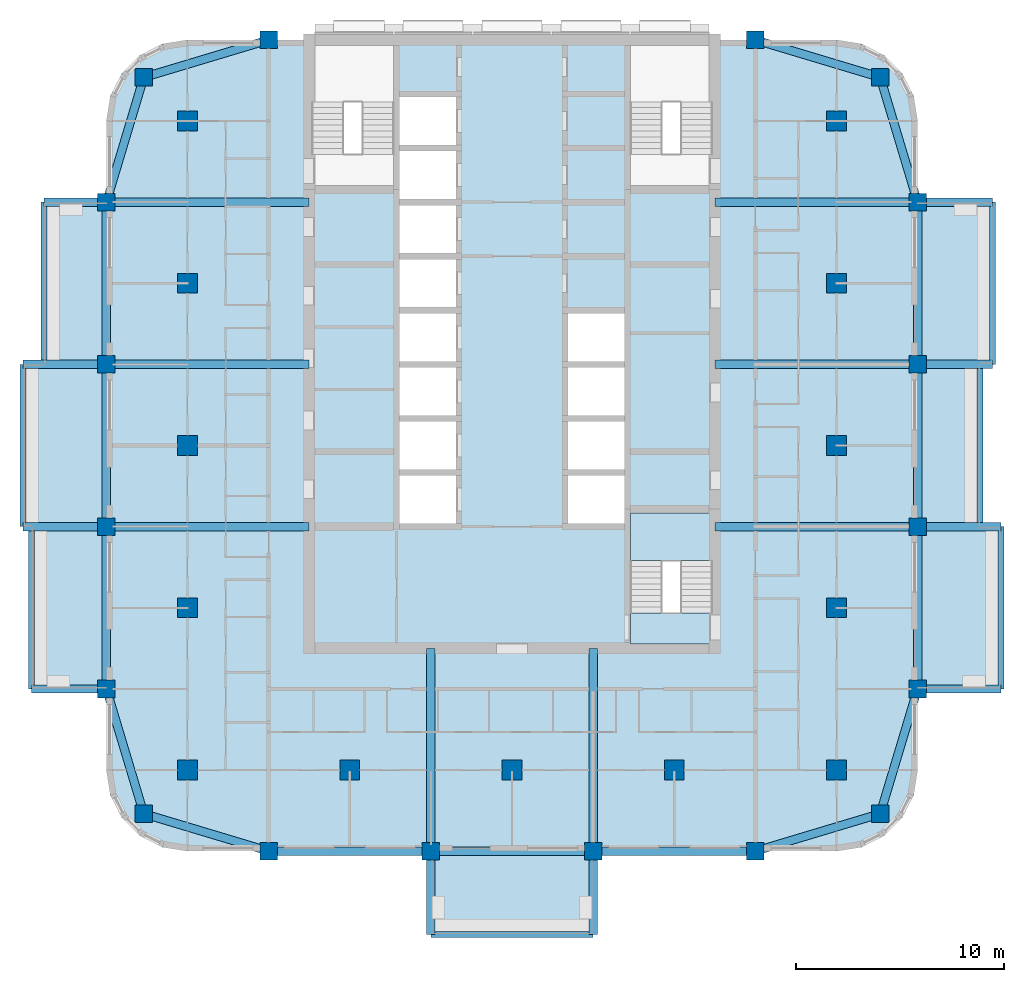
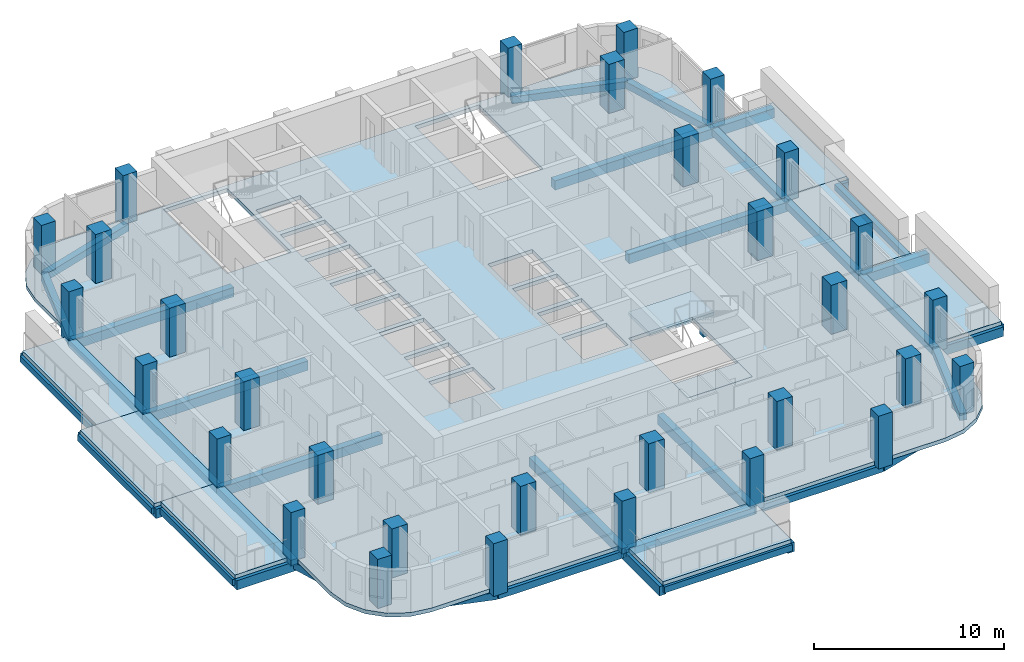
# One storey, part 1 of 14: 42 beams, 31 columns, 10 slabs, 1 element without a shape of its own.
"""IFC4 building model written with IfcOpenShell, lengths in metres."""

import ifcopenshell
import ifcopenshell.guid

model = None  # the IFC model being written
_history = None  # IfcOwnerHistory: only IFC2X3 demands one
_inside = {}  # id of a spatial element -> (the spatial element, [elements in it])
_under = {}  # id of a project, library or spatial element -> (it, [spatial elements below it])
_declared = {}  # id of a project -> (the project, [libraries it declares])
_typed = {}  # id of a type object -> (the type object, [elements of that type])
_made_of = {}  # id of a material, layer set ... -> (it, [elements and type objects made of it])


def new_model(schema):
    """Start an empty IFC model of exactly this schema.

    Asked for "IFC4X3", IfcOpenShell would pick the latest addendum, in which some entities
    have other attributes; the version numbers below select the first issue.
    IFC2X3 requires an IfcOwnerHistory on every rooted entity: one is made here for all.
    """
    global model, _history
    if schema == "IFC4X3":
        model = ifcopenshell.file(schema_version=(4, 3, 0, 0))
    else:
        model = ifcopenshell.file(schema=schema)
    _inside.clear()
    _under.clear()
    _declared.clear()
    _typed.clear()
    _made_of.clear()
    _history = None
    if model.schema == "IFC2X3":
        org = make("IfcOrganization", Name="unknown")
        user = make(
            "IfcPersonAndOrganization",
            ThePerson=make("IfcPerson", FamilyName="unknown"),
            TheOrganization=org,
        )
        app = make(
            "IfcApplication",
            ApplicationDeveloper=org,
            Version="unknown",
            ApplicationFullName="unknown",
            ApplicationIdentifier="unknown",
        )
        _history = make(
            "IfcOwnerHistory",
            OwningUser=user,
            OwningApplication=app,
            ChangeAction="ADDED",
            CreationDate=0,
        )
    return model


def make(cls, **values):
    """One entity of the class cls with the attributes given. An attribute that is None is left unset."""
    return model.create_entity(
        cls, **{name: value for name, value in values.items() if value is not None}
    )


def rooted(cls, **values):
    """An entity with a GlobalId (a new one), such as an element, a storey or a relation."""
    return make(cls, GlobalId=ifcopenshell.guid.new(), OwnerHistory=_history, **values)


def si_unit(unit_type, name, prefix=None):
    """IfcSIUnit, for example si_unit("LENGTHUNIT", "METRE", prefix="MILLI")."""
    return make("IfcSIUnit", UnitType=unit_type, Prefix=prefix, Name=name)


def assignment(units):
    """IfcUnitAssignment: the units of a project."""
    return None if units is None else make("IfcUnitAssignment", Units=units)


def point(xyz):
    """IfcCartesianPoint."""
    return None if xyz is None else make("IfcCartesianPoint", Coordinates=xyz)


def direction(xyz):
    """IfcDirection."""
    return None if xyz is None else make("IfcDirection", DirectionRatios=xyz)


def frame(location, z_axis=None, x_axis=None):
    """IfcAxis2Placement3D, a coordinate frame: its origin and axes. An axis left out is left unset."""
    return make(
        "IfcAxis2Placement3D",
        Location=point(location),
        Axis=direction(z_axis),
        RefDirection=direction(x_axis),
    )


def frame_2d(location, x_axis=None):
    """IfcAxis2Placement2D, a coordinate frame in the plane: its origin and x axis."""
    return make(
        "IfcAxis2Placement2D", Location=point(location), RefDirection=direction(x_axis)
    )


def origin():
    """The frame at (0, 0, 0) with its axes left unset."""
    return frame((0.0, 0.0, 0.0))


def origin_2d():
    """The frame at (0, 0) in the plane with its x axis left unset."""
    return frame_2d((0.0, 0.0))


def place(relative_to, where):
    """IfcLocalPlacement: puts the frame where relative to a parent placement (None: the world)."""
    return make(
        "IfcLocalPlacement", PlacementRelTo=relative_to, RelativePlacement=where
    )


def context(
    kind, dimensions, precision=None, world=None, true_north=None, identifier=None
):
    """IfcGeometricRepresentationContext, for example the 3D "Model" context."""
    return make(
        "IfcGeometricRepresentationContext",
        ContextIdentifier=identifier,
        ContextType=kind,
        CoordinateSpaceDimension=dimensions,
        Precision=precision,
        WorldCoordinateSystem=world,
        TrueNorth=true_north,
    )


def subcontext(parent, identifier, kind, view, scale=None):
    """IfcGeometricRepresentationSubContext, for example "Body" below "Model"."""
    return make(
        "IfcGeometricRepresentationSubContext",
        ContextIdentifier=identifier,
        ContextType=kind,
        ParentContext=parent,
        TargetScale=scale,
        TargetView=view,
    )


def project(units=None, contexts=None):
    """IfcProject with its units and contexts."""
    return rooted(
        "IfcProject",
        Name="project",
        RepresentationContexts=contexts,
        UnitsInContext=assignment(units),
    )


def spatial(cls, under=None, at=None, **own):
    """A site, building, storey or space (cls), placed at a placement, below another one or the project."""
    s = rooted(cls, ObjectPlacement=at, **own)
    if under is not None:
        _under.setdefault(under.id(), (under, []))[1].append(s)
    return s


def polyline(points):
    """IfcPolyline through the points."""
    return make("IfcPolyline", Points=[point(p) for p in points])


def profile(cls, at=None, kind="AREA", **sizes):
    """A parametric profile (cls). Its sizes go by their IFC names, for example OverallWidth=200.0."""
    return make(cls, ProfileType=kind, Position=at, **sizes)


def rectangle(**sizes):
    """IfcRectangleProfileDef."""
    return profile("IfcRectangleProfileDef", **sizes)


def outline(outer, holes=None, kind="AREA"):
    """IfcArbitraryClosedProfileDef: a profile drawn as a closed curve; with holes, ...WithVoids."""
    if holes is None:
        return make("IfcArbitraryClosedProfileDef", ProfileType=kind, OuterCurve=outer)
    return make(
        "IfcArbitraryProfileDefWithVoids",
        ProfileType=kind,
        OuterCurve=outer,
        InnerCurves=holes,
    )


def extrude(swept, where, along, depth):
    """IfcExtrudedAreaSolid: the profile swept, set in the frame where, extruded along a direction by depth."""
    return make(
        "IfcExtrudedAreaSolid",
        SweptArea=swept,
        Position=where,
        ExtrudedDirection=direction(along),
        Depth=depth,
    )


def shape(context_of_items, identifier, shape_type, items):
    """IfcShapeRepresentation: the items that make up one representation, for example the "Body"."""
    return make(
        "IfcShapeRepresentation",
        ContextOfItems=context_of_items,
        RepresentationIdentifier=identifier,
        RepresentationType=shape_type,
        Items=items,
    )


def material(Name=None, Category=None):
    """IfcMaterial."""
    return make("IfcMaterial", Name=Name, Category=Category)


def layer(
    of_material, thickness, ventilated=None, Name=None, Category=None, Priority=None
):
    """IfcMaterialLayer: one layer of a wall or slab, of a material (None: an air gap)."""
    return make(
        "IfcMaterialLayer",
        Material=of_material,
        LayerThickness=thickness,
        IsVentilated=ventilated,
        Name=Name,
        Category=Category,
        Priority=Priority,
    )


def layer_set(layers, Name=None):
    """IfcMaterialLayerSet."""
    return make("IfcMaterialLayerSet", MaterialLayers=layers, LayerSetName=Name)


def material_profile(
    of_material, cross_section, Name=None, Category=None, Priority=None
):
    """IfcMaterialProfile: a cross section and its material."""
    return make(
        "IfcMaterialProfile",
        Name=Name,
        Material=of_material,
        Profile=cross_section,
        Priority=Priority,
        Category=Category,
    )


def profile_set(profiles, Name=None, composite=None):
    """IfcMaterialProfileSet."""
    return make(
        "IfcMaterialProfileSet",
        Name=Name,
        MaterialProfiles=profiles,
        CompositeProfile=composite,
    )


def made_of(thing, what):
    """Note that an element or type object is made of a material, layer set ...; save() writes the relation."""
    if what is not None:
        _made_of.setdefault(what.id(), (what, []))[1].append(thing)
    return thing


def type_object(cls, material=None, **own):
    """A type object (cls), such as IfcWallType, which elements share."""
    return made_of(rooted(cls, **own), material)


def element(
    cls,
    number,
    at=None,
    inside=None,
    cuts=None,
    type_object=None,
    material=None,
    context=None,
    identifier="Body",
    shape_type=None,
    held_by="IfcProductDefinitionShape",
    body=None,
    shapes=None,
    **own,
):
    """One element of the class cls, such as IfcWall. Its Tag is "e" and its number.

    at: its placement. inside: the storey or other place that contains it. cuts: it is an
    opening in that element (IfcRelVoidsElement). A single representation is given by context,
    identifier, shape_type and body (its items); several are given by shapes. held_by: the class
    of the entity that holds the representations. save() writes the other relations.
    """
    e = rooted(cls, Tag="e%d" % number, ObjectPlacement=at, **own)
    if body is not None:
        shapes = [shape(context, identifier, shape_type, body)]
    if shapes is not None:
        e.Representation = make(held_by, Representations=shapes)
    if inside is not None:
        _inside.setdefault(inside.id(), (inside, []))[1].append(e)
    if cuts is not None:
        rooted(
            "IfcRelVoidsElement", RelatingBuildingElement=cuts, RelatedOpeningElement=e
        )
    if type_object is not None:
        _typed.setdefault(type_object.id(), (type_object, []))[1].append(e)
    return made_of(e, material)


def aggregate(whole, parts):
    """IfcRelAggregates: a whole, such as a stair, and the parts it consists of."""
    return rooted("IfcRelAggregates", RelatingObject=whole, RelatedObjects=parts)


def save(model, path):
    """Write the relations noted so far, then the file.

    IfcRelAggregates (storeys below a building ...), IfcRelContainedInSpatialStructure (elements
    in a storey), IfcRelDefinesByType, IfcRelAssociatesMaterial and IfcRelDeclares: one each for
    every whole, place, type object, material and project.
    """
    for whole, parts in _under.values():
        aggregate(whole, parts)
    for where, things in _inside.values():
        rooted(
            "IfcRelContainedInSpatialStructure",
            RelatedElements=things,
            RelatingStructure=where,
        )
    for kind, things in _typed.values():
        rooted("IfcRelDefinesByType", RelatedObjects=things, RelatingType=kind)
    for what, things in _made_of.values():
        rooted("IfcRelAssociatesMaterial", RelatedObjects=things, RelatingMaterial=what)
    for by, libraries in _declared.values():
        rooted("IfcRelDeclares", RelatingContext=by, RelatedDefinitions=libraries)
    model.write(path)


model = new_model("IFC4")

# Units and contexts
model_context = context("Model", 3, precision=1e-05, world=origin(), true_north=direction((0.0, 1.0)))
body_context = subcontext(model_context, "Body", "Model", "MODEL_VIEW")
ifc_project = project(units=[si_unit("LENGTHUNIT", "METRE"), si_unit("AREAUNIT", "SQUARE_METRE"), si_unit("VOLUMEUNIT", "CUBIC_METRE"), si_unit("PLANEANGLEUNIT", "RADIAN"), si_unit("MASSUNIT", "GRAM", prefix="KILO")], contexts=[model_context])

# Site, building, storey
site_placement = place(None, origin())
site = spatial("IfcSite", under=ifc_project, at=site_placement, CompositionType="ELEMENT")
building_placement = place(site_placement, origin())
building = spatial("IfcBuilding", under=site, at=building_placement, Name="Ludao Terraces", CompositionType="ELEMENT")
storey_placement = place(building_placement, frame((0.0, 0.0, 103.300048828125)))
storey = spatial("IfcBuildingStorey", under=building, at=storey_placement, Name="L28", CompositionType="ELEMENT", Elevation=103.300048828125)

# Columns
ifc_material_1 = material(Name="Concrete C50", Category="concrete")
ifc_material_profile_1 = material_profile(ifc_material_1, rectangle(XDim=0.85009765625, YDim=0.85009765625, at=origin_2d()), Name="850 X 850")
ifc_profile_set_1 = profile_set([ifc_material_profile_1], Name="Concrete C50")
column_type_1 = type_object("IfcColumnType", Name="RC column 850x850 C50", PredefinedType="COLUMN", material=ifc_profile_set_1)
for number, where, z_axis, x_axis, name in (
    (1, (67.300048828125, 47.300048828125, -0.25), (0.0, 0.0, 1.0), (1.0, 0.0, 0.0), "Column L28 C0057x0057"),
    (2, (102.699951171875, 47.300048828125, -0.25), (0.0, 0.0, 1.0), (1.0, 0.0, 0.0), "Column L28 C0411x0057"),
    (3, (67.300048828125, 82.699951171875, -0.25), (0.0, 0.0, 1.0), (1.0, 0.0, 0.0), "Column L28 C0057x0411"),
    (4, (102.699951171875, 82.699951171875, -0.25), (0.0, 0.0, 1.0), (1.0, 0.0, 0.0), "Column L28 C0411x0411"),
    (5, (65.5, 53.300048828125, -0.25), (0.0, 0.0, 1.0), (1.0, 0.0, 0.0), "Column L28 W0039x0117"),
    (6, (104.5, 53.300048828125, -0.25), (0.0, 0.0, 1.0), (1.0, 0.0, 0.0), "Column L28 W0429x0117"),
    (7, (73.300048828125, 45.5, -0.25), (0.0, 0.0, 1.0), (1.0, 0.0, 0.0), "Column L28 W0117x0039"),
    (8, (73.300048828125, 84.5, -0.25), (0.0, 0.0, 1.0), (1.0, 0.0, 0.0), "Column L28 W0117x0429"),
    (9, (65.5, 61.10009765625, -0.25), (0.0, 0.0, 1.0), (1.0, 0.0, 0.0), "Column L28 W0039x0195"),
    (10, (104.5, 61.10009765625, -0.25), (0.0, 0.0, 1.0), (1.0, 0.0, 0.0), "Column L28 W0429x0195"),
    (11, (81.10009765625, 45.5, -0.25), (0.0, 0.0, 1.0), (1.0, 0.0, 0.0), "Column L28 W0195x0039"),
    (12, (65.5, 68.89990234375, -0.25), (0.0, 0.0, 1.0), (1.0, 0.0, 0.0), "Column L28 W0039x0273"),
    (13, (104.5, 68.89990234375, -0.25), (0.0, 0.0, 1.0), (1.0, 0.0, 0.0), "Column L28 W0429x0273"),
    (14, (88.89990234375, 45.5, -0.25), (0.0, 0.0, 1.0), (1.0, 0.0, 0.0), "Column L28 W0273x0039"),
    (15, (65.5, 76.699951171875, -0.25), (0.0, 0.0, 1.0), (1.0, 0.0, 0.0), "Column L28 W0039x0351"),
    (16, (104.5, 76.699951171875, -0.25), (0.0, 0.0, 1.0), (1.0, 0.0, 0.0), "Column L28 W0429x0351"),
    (17, (96.699951171875, 45.5, -0.25), (0.0, 0.0, 1.0), (1.0, 0.0, 0.0), "Column L28 W0351x0039"),
    (18, (96.699951171875, 84.5, -0.25), (0.0, 0.0, 1.0), (1.0, 0.0, 0.0), "Column L28 W0351x0429"),
):
    element("IfcColumn", number, at=place(storey_placement, frame(where, z_axis=z_axis, x_axis=x_axis)), inside=storey, type_object=column_type_1, Name=name, PredefinedType="COLUMN", context=body_context, shape_type="SweptSolid", body=[
        extrude(rectangle(XDim=0.85009765625, YDim=0.85009765625, at=origin_2d()), origin(), (0.0, 0.0, 1.0), 3.39990234375),
    ])
ifc_material_profile_2 = material_profile(ifc_material_1, rectangle(XDim=0.949951171875, YDim=0.949951171875, at=origin_2d()), Name="950 X 950")
ifc_profile_set_2 = profile_set([ifc_material_profile_2], Name="Concrete C50")
column_type_2 = type_object("IfcColumnType", Name="RC column 950x950 C50", PredefinedType="COLUMN", material=ifc_profile_set_2)
for number, where, z_axis, x_axis, name in (
    (19, (69.39990234375, 49.39990234375, -0.25), (0.0, 0.0, 1.0), (1.0, 0.0, 0.0), "Column L28 S0078x0078"),
    (20, (69.39990234375, 57.199951171875, -0.25), (0.0, 0.0, 1.0), (1.0, 0.0, 0.0), "Column L28 S0078x0156"),
    (21, (69.39990234375, 65.0, -0.25), (0.0, 0.0, 1.0), (1.0, 0.0, 0.0), "Column L28 S0078x0234"),
    (22, (69.39990234375, 72.800048828125, -0.25), (0.0, 0.0, 1.0), (1.0, 0.0, 0.0), "Column L28 S0078x0312"),
    (23, (69.39990234375, 80.60009765625, -0.25), (0.0, 0.0, 1.0), (1.0, 0.0, 0.0), "Column L28 S0078x0390"),
    (24, (77.199951171875, 49.39990234375, -0.25), (0.0, 0.0, 1.0), (1.0, 0.0, 0.0), "Column L28 S0156x0078"),
    (25, (85.0, 49.39990234375, -0.25), (0.0, 0.0, 1.0), (1.0, 0.0, 0.0), "Column L28 S0234x0078"),
    (26, (92.800048828125, 49.39990234375, -0.25), (0.0, 0.0, 1.0), (1.0, 0.0, 0.0), "Column L28 S0312x0078"),
    (27, (100.60009765625, 49.39990234375, -0.25), (0.0, 0.0, 1.0), (1.0, 0.0, 0.0), "Column L28 S0390x0078"),
    (28, (100.60009765625, 57.199951171875, -0.25), (0.0, 0.0, 1.0), (1.0, 0.0, 0.0), "Column L28 S0390x0156"),
    (29, (100.60009765625, 65.0, -0.25), (0.0, 0.0, 1.0), (1.0, 0.0, 0.0), "Column L28 S0390x0234"),
    (30, (100.60009765625, 72.800048828125, -0.25), (0.0, 0.0, 1.0), (1.0, 0.0, 0.0), "Column L28 S0390x0312"),
    (31, (100.60009765625, 80.60009765625, -0.25), (0.0, 0.0, 1.0), (1.0, 0.0, 0.0), "Column L28 S0390x0390"),
):
    element("IfcColumn", number, at=place(storey_placement, frame(where, z_axis=z_axis, x_axis=x_axis)), inside=storey, type_object=column_type_2, Name=name, PredefinedType="COLUMN", context=body_context, shape_type="SweptSolid", body=[
        extrude(rectangle(XDim=0.949951171875, YDim=0.949951171875, at=origin_2d()), origin(), (0.0, 0.0, 1.0), 3.39990234375),
    ])

# Beams
ifc_material_2 = material(Name="Concrete C40", Category="concrete")
ifc_material_profile_3 = material_profile(ifc_material_2, rectangle(XDim=0.300048828125, YDim=0.39990234375, at=origin_2d()), Name="300 X 400")
ifc_profile_set_3 = profile_set([ifc_material_profile_3], Name="Concrete C40")
beam_type_1 = type_object("IfcBeamType", Name="RC beam 300x400 C40", PredefinedType="BEAM", material=ifc_profile_set_3)
beam_1_placement = place(storey_placement, frame((81.10009765625, 41.5, -0.449951171875), z_axis=(1.0, 0.0, 0.0), x_axis=(0.0, 1.0, 0.0)))
element("IfcBeam", 32, at=beam_1_placement, inside=storey, type_object=beam_type_1, Name="Balcony edge beam L28 S1", PredefinedType="BEAM", context=body_context, shape_type="SweptSolid", body=[
    extrude(rectangle(XDim=0.300048828125, YDim=0.39990234375, at=origin_2d()), origin(), (0.0, 0.0, 1.0), 7.7998046875),
])
beam_2_placement = place(storey_placement, frame((108.5, 53.300048828125, -0.449951171875), z_axis=(0.0, 1.0, 0.0), x_axis=(-1.0, 0.0, 0.0)))
element("IfcBeam", 33, at=beam_2_placement, inside=storey, type_object=beam_type_1, Name="Balcony edge beam L28 E1", PredefinedType="BEAM", context=body_context, shape_type="SweptSolid", body=[
    extrude(rectangle(XDim=0.300048828125, YDim=0.39990234375, at=origin_2d()), origin(), (0.0, 0.0, 1.0), 7.800048828125),
])
beam_3_placement = place(storey_placement, frame((107.5, 61.10009765625, -0.449951171875), z_axis=(0.0, 1.0, 0.0), x_axis=(-1.0, 0.0, 0.0)))
element("IfcBeam", 34, at=beam_3_placement, inside=storey, type_object=beam_type_1, Name="Balcony edge beam L28 E2", PredefinedType="BEAM", context=body_context, shape_type="SweptSolid", body=[
    extrude(rectangle(XDim=0.300048828125, YDim=0.39990234375, at=origin_2d()), origin(), (0.0, 0.0, 1.0), 7.7998046875),
])
for number, where, z_axis, x_axis, name in (
    (35, (108.10009765625, 68.89990234375, -0.449951171875), (0.0, 1.0, 0.0), (-1.0, 0.0, 0.0), "Balcony edge beam L28 E3"),
    (36, (61.89990234375, 53.300048828125, -0.449951171875), (0.0, 1.0, 0.0), (-1.0, 0.0, 0.0), "Balcony edge beam L28 W1"),
):
    element("IfcBeam", number, at=place(storey_placement, frame(where, z_axis=z_axis, x_axis=x_axis)), inside=storey, type_object=beam_type_1, Name=name, PredefinedType="BEAM", context=body_context, shape_type="SweptSolid", body=[
        extrude(rectangle(XDim=0.300048828125, YDim=0.39990234375, at=origin_2d()), origin(), (0.0, 0.0, 1.0), 7.800048828125),
    ])
beam_4_placement = place(storey_placement, frame((61.5, 61.10009765625, -0.449951171875), z_axis=(0.0, 1.0, 0.0), x_axis=(-1.0, 0.0, 0.0)))
element("IfcBeam", 37, at=beam_4_placement, inside=storey, type_object=beam_type_1, Name="Balcony edge beam L28 W2", PredefinedType="BEAM", context=body_context, shape_type="SweptSolid", body=[
    extrude(rectangle(XDim=0.300048828125, YDim=0.39990234375, at=origin_2d()), origin(), (0.0, 0.0, 1.0), 7.7998046875),
])
beam_5_placement = place(storey_placement, frame((62.5, 68.89990234375, -0.449951171875), z_axis=(0.0, 1.0, 0.0), x_axis=(-1.0, 0.0, 0.0)))
element("IfcBeam", 38, at=beam_5_placement, inside=storey, type_object=beam_type_1, Name="Balcony edge beam L28 W3", PredefinedType="BEAM", context=body_context, shape_type="SweptSolid", body=[
    extrude(rectangle(XDim=0.300048828125, YDim=0.39990234375, at=origin_2d()), origin(), (0.0, 0.0, 1.0), 7.800048828125),
])
ifc_material_profile_4 = material_profile(ifc_material_2, rectangle(XDim=0.39990234375, YDim=0.449951171875, at=origin_2d()), Name="400 X 450")
ifc_profile_set_4 = profile_set([ifc_material_profile_4], Name="Concrete C40")
beam_type_2 = type_object("IfcBeamType", Name="RC beam 400x450 C40", PredefinedType="BEAM", material=ifc_profile_set_4)
beam_6_placement = place(storey_placement, frame((67.300048828125, 47.300048828125, -0.47509765625), z_axis=(0.957824139839, -0.287355036744, 0.0), x_axis=(0.287355036744, 0.957824139839, 0.0)))
element("IfcBeam", 39, at=beam_6_placement, inside=storey, type_object=beam_type_2, Name="Spandrel beam L28 S1", PredefinedType="BEAM", context=body_context, shape_type="SweptSolid", body=[
    extrude(rectangle(XDim=0.39990234375, YDim=0.449951171875, at=origin_2d()), origin(), (0.0, 0.0, 1.0), 6.26416015625),
])
beam_7_placement = place(storey_placement, frame((73.300048828125, 45.5, -0.47509765625), z_axis=(1.0, 0.0, 0.0), x_axis=(0.0, 1.0, 0.0)))
element("IfcBeam", 40, at=beam_7_placement, inside=storey, type_object=beam_type_2, Name="Spandrel beam L28 S2", PredefinedType="BEAM", context=body_context, shape_type="SweptSolid", body=[
    extrude(rectangle(XDim=0.39990234375, YDim=0.449951171875, at=origin_2d()), origin(), (0.0, 0.0, 1.0), 7.800048828125),
])
beam_8_placement = place(storey_placement, frame((81.10009765625, 45.5, -0.47509765625), z_axis=(1.0, 0.0, 0.0), x_axis=(0.0, 1.0, 0.0)))
element("IfcBeam", 41, at=beam_8_placement, inside=storey, type_object=beam_type_2, Name="Spandrel beam L28 S3", PredefinedType="BEAM", context=body_context, shape_type="SweptSolid", body=[
    extrude(rectangle(XDim=0.39990234375, YDim=0.449951171875, at=origin_2d()), origin(), (0.0, 0.0, 1.0), 7.7998046875),
])
beam_9_placement = place(storey_placement, frame((88.89990234375, 45.5, -0.47509765625), z_axis=(1.0, 0.0, 0.0), x_axis=(0.0, 1.0, 0.0)))
element("IfcBeam", 42, at=beam_9_placement, inside=storey, type_object=beam_type_2, Name="Spandrel beam L28 S4", PredefinedType="BEAM", context=body_context, shape_type="SweptSolid", body=[
    extrude(rectangle(XDim=0.39990234375, YDim=0.449951171875, at=origin_2d()), origin(), (0.0, 0.0, 1.0), 7.800048828125),
])
for number, where, z_axis, x_axis, name in (
    (43, (96.699951171875, 45.5, -0.47509765625), (0.957824139839, 0.287355036744, 0.0), (-0.287355036744, 0.957824139839, 0.0), "Spandrel beam L28 S5"),
    (44, (67.300048828125, 82.699951171875, -0.47509765625), (0.957824139839, 0.287355036744, 0.0), (-0.287355036744, 0.957824139839, 0.0), "Spandrel beam L28 N6"),
    (45, (96.699951171875, 84.5, -0.47509765625), (0.957824139839, -0.287355036744, 0.0), (0.287355036744, 0.957824139839, 0.0), "Spandrel beam L28 N7"),
    (46, (67.300048828125, 47.300048828125, -0.47509765625), (-0.287355036744, 0.957824139839, 0.0), (-0.957824139839, -0.287355036744, 0.0), "Spandrel beam L28 W8"),
):
    element("IfcBeam", number, at=place(storey_placement, frame(where, z_axis=z_axis, x_axis=x_axis)), inside=storey, type_object=beam_type_2, Name=name, PredefinedType="BEAM", context=body_context, shape_type="SweptSolid", body=[
        extrude(rectangle(XDim=0.39990234375, YDim=0.449951171875, at=origin_2d()), origin(), (0.0, 0.0, 1.0), 6.26416015625),
    ])
beam_10_placement = place(storey_placement, frame((65.5, 53.300048828125, -0.47509765625), z_axis=(0.0, 1.0, 0.0), x_axis=(-1.0, 0.0, 0.0)))
element("IfcBeam", 47, at=beam_10_placement, inside=storey, type_object=beam_type_2, Name="Spandrel beam L28 W9", PredefinedType="BEAM", context=body_context, shape_type="SweptSolid", body=[
    extrude(rectangle(XDim=0.39990234375, YDim=0.449951171875, at=origin_2d()), origin(), (0.0, 0.0, 1.0), 7.800048828125),
])
beam_11_placement = place(storey_placement, frame((65.5, 61.10009765625, -0.47509765625), z_axis=(0.0, 1.0, 0.0), x_axis=(-1.0, 0.0, 0.0)))
element("IfcBeam", 48, at=beam_11_placement, inside=storey, type_object=beam_type_2, Name="Spandrel beam L28 W10", PredefinedType="BEAM", context=body_context, shape_type="SweptSolid", body=[
    extrude(rectangle(XDim=0.39990234375, YDim=0.449951171875, at=origin_2d()), origin(), (0.0, 0.0, 1.0), 7.7998046875),
])
beam_12_placement = place(storey_placement, frame((65.5, 68.89990234375, -0.47509765625), z_axis=(0.0, 1.0, 0.0), x_axis=(-1.0, 0.0, 0.0)))
element("IfcBeam", 49, at=beam_12_placement, inside=storey, type_object=beam_type_2, Name="Spandrel beam L28 W11", PredefinedType="BEAM", context=body_context, shape_type="SweptSolid", body=[
    extrude(rectangle(XDim=0.39990234375, YDim=0.449951171875, at=origin_2d()), origin(), (0.0, 0.0, 1.0), 7.800048828125),
])
for number, where, z_axis, x_axis, name in (
    (50, (65.5, 76.699951171875, -0.47509765625), (0.287355036744, 0.957824139839, 0.0), (-0.957824139839, 0.287355036744, 0.0), "Spandrel beam L28 W12"),
    (51, (102.699951171875, 47.300048828125, -0.47509765625), (0.287355036744, 0.957824139839, 0.0), (-0.957824139839, 0.287355036744, 0.0), "Spandrel beam L28 E13"),
):
    element("IfcBeam", number, at=place(storey_placement, frame(where, z_axis=z_axis, x_axis=x_axis)), inside=storey, type_object=beam_type_2, Name=name, PredefinedType="BEAM", context=body_context, shape_type="SweptSolid", body=[
        extrude(rectangle(XDim=0.39990234375, YDim=0.449951171875, at=origin_2d()), origin(), (0.0, 0.0, 1.0), 6.26416015625),
    ])
beam_13_placement = place(storey_placement, frame((104.5, 53.300048828125, -0.47509765625), z_axis=(0.0, 1.0, 0.0), x_axis=(-1.0, 0.0, 0.0)))
element("IfcBeam", 52, at=beam_13_placement, inside=storey, type_object=beam_type_2, Name="Spandrel beam L28 E14", PredefinedType="BEAM", context=body_context, shape_type="SweptSolid", body=[
    extrude(rectangle(XDim=0.39990234375, YDim=0.449951171875, at=origin_2d()), origin(), (0.0, 0.0, 1.0), 7.800048828125),
])
beam_14_placement = place(storey_placement, frame((104.5, 61.10009765625, -0.47509765625), z_axis=(0.0, 1.0, 0.0), x_axis=(-1.0, 0.0, 0.0)))
element("IfcBeam", 53, at=beam_14_placement, inside=storey, type_object=beam_type_2, Name="Spandrel beam L28 E15", PredefinedType="BEAM", context=body_context, shape_type="SweptSolid", body=[
    extrude(rectangle(XDim=0.39990234375, YDim=0.449951171875, at=origin_2d()), origin(), (0.0, 0.0, 1.0), 7.7998046875),
])
beam_15_placement = place(storey_placement, frame((104.5, 68.89990234375, -0.47509765625), z_axis=(0.0, 1.0, 0.0), x_axis=(-1.0, 0.0, 0.0)))
element("IfcBeam", 54, at=beam_15_placement, inside=storey, type_object=beam_type_2, Name="Spandrel beam L28 E16", PredefinedType="BEAM", context=body_context, shape_type="SweptSolid", body=[
    extrude(rectangle(XDim=0.39990234375, YDim=0.449951171875, at=origin_2d()), origin(), (0.0, 0.0, 1.0), 7.800048828125),
])
beam_16_placement = place(storey_placement, frame((104.5, 76.699951171875, -0.47509765625), z_axis=(-0.287355036744, 0.957824139839, 0.0), x_axis=(-0.957824139839, -0.287355036744, 0.0)))
element("IfcBeam", 55, at=beam_16_placement, inside=storey, type_object=beam_type_2, Name="Spandrel beam L28 E17", PredefinedType="BEAM", context=body_context, shape_type="SweptSolid", body=[
    extrude(rectangle(XDim=0.39990234375, YDim=0.449951171875, at=origin_2d()), origin(), (0.0, 0.0, 1.0), 6.26416015625),
])
ifc_material_profile_5 = material_profile(ifc_material_2, rectangle(XDim=0.39990234375, YDim=0.60009765625, at=origin_2d()), Name="400 X 600")
ifc_profile_set_5 = profile_set([ifc_material_profile_5], Name="Concrete C40")
beam_type_3 = type_object("IfcBeamType", Name="RC beam 400x600 C40", PredefinedType="BEAM", material=ifc_profile_set_5)
beam_17_placement = place(storey_placement, frame((104.5, 53.300048828125, -0.550048828125), z_axis=(1.0, 0.0, 0.0), x_axis=(0.0, 1.0, 0.0)))
element("IfcBeam", 56, at=beam_17_placement, inside=storey, type_object=beam_type_3, Name="Balcony beam L28 E533", PredefinedType="BEAM", context=body_context, shape_type="SweptSolid", body=[
    extrude(rectangle(XDim=0.39990234375, YDim=0.60009765625, at=origin_2d()), origin(), (0.0, 0.0, 1.0), 4.0),
])
beam_18_placement = place(storey_placement, frame((94.75, 61.10009765625, -0.550048828125), z_axis=(1.0, 0.0, 0.0), x_axis=(0.0, 1.0, 0.0)))
element("IfcBeam", 57, at=beam_18_placement, inside=storey, type_object=beam_type_3, Name="Balcony beam L28 E611", PredefinedType="BEAM", context=body_context, shape_type="SweptSolid", body=[
    extrude(rectangle(XDim=0.39990234375, YDim=0.60009765625, at=origin_2d()), origin(), (0.0, 0.0, 1.0), 9.75),
])
beam_19_placement = place(storey_placement, frame((104.5, 61.10009765625, -0.550048828125), z_axis=(1.0, 0.0, 0.0), x_axis=(0.0, 1.0, 0.0)))
element("IfcBeam", 58, at=beam_19_placement, inside=storey, type_object=beam_type_3, Name="Balcony beam L28 E611", PredefinedType="BEAM", context=body_context, shape_type="SweptSolid", body=[
    extrude(rectangle(XDim=0.39990234375, YDim=0.60009765625, at=origin_2d()), origin(), (0.0, 0.0, 1.0), 4.0),
])
beam_20_placement = place(storey_placement, frame((94.75, 68.89990234375, -0.550048828125), z_axis=(1.0, 0.0, 0.0), x_axis=(0.0, 1.0, 0.0)))
element("IfcBeam", 59, at=beam_20_placement, inside=storey, type_object=beam_type_3, Name="Balcony beam L28 E689", PredefinedType="BEAM", context=body_context, shape_type="SweptSolid", body=[
    extrude(rectangle(XDim=0.39990234375, YDim=0.60009765625, at=origin_2d()), origin(), (0.0, 0.0, 1.0), 9.75),
])
beam_21_placement = place(storey_placement, frame((104.5, 68.89990234375, -0.550048828125), z_axis=(1.0, 0.0, 0.0), x_axis=(0.0, 1.0, 0.0)))
element("IfcBeam", 60, at=beam_21_placement, inside=storey, type_object=beam_type_3, Name="Balcony beam L28 E689", PredefinedType="BEAM", context=body_context, shape_type="SweptSolid", body=[
    extrude(rectangle(XDim=0.39990234375, YDim=0.60009765625, at=origin_2d()), origin(), (0.0, 0.0, 1.0), 3.60009765625),
])
beam_22_placement = place(storey_placement, frame((94.75, 76.699951171875, -0.550048828125), z_axis=(1.0, 0.0, 0.0), x_axis=(0.0, 1.0, 0.0)))
element("IfcBeam", 61, at=beam_22_placement, inside=storey, type_object=beam_type_3, Name="Balcony beam L28 E767", PredefinedType="BEAM", context=body_context, shape_type="SweptSolid", body=[
    extrude(rectangle(XDim=0.39990234375, YDim=0.60009765625, at=origin_2d()), origin(), (0.0, 0.0, 1.0), 9.75),
])
beam_23_placement = place(storey_placement, frame((104.5, 76.699951171875, -0.550048828125), z_axis=(1.0, 0.0, 0.0), x_axis=(0.0, 1.0, 0.0)))
element("IfcBeam", 62, at=beam_23_placement, inside=storey, type_object=beam_type_3, Name="Balcony beam L28 E767", PredefinedType="BEAM", context=body_context, shape_type="SweptSolid", body=[
    extrude(rectangle(XDim=0.39990234375, YDim=0.60009765625, at=origin_2d()), origin(), (0.0, 0.0, 1.0), 3.60009765625),
])
beam_24_placement = place(storey_placement, frame((81.10009765625, 55.25, -0.550048828125), z_axis=(0.0, -1.0, 0.0), x_axis=(1.0, 0.0, 0.0)))
element("IfcBeam", 63, at=beam_24_placement, inside=storey, type_object=beam_type_3, Name="Balcony beam L28 S811", PredefinedType="BEAM", context=body_context, shape_type="SweptSolid", body=[
    extrude(rectangle(XDim=0.39990234375, YDim=0.60009765625, at=origin_2d()), origin(), (0.0, 0.0, 1.0), 9.75),
])
beam_25_placement = place(storey_placement, frame((81.10009765625, 45.5, -0.550048828125), z_axis=(0.0, -1.0, 0.0), x_axis=(1.0, 0.0, 0.0)))
element("IfcBeam", 64, at=beam_25_placement, inside=storey, type_object=beam_type_3, Name="Balcony beam L28 S811", PredefinedType="BEAM", context=body_context, shape_type="SweptSolid", body=[
    extrude(rectangle(XDim=0.39990234375, YDim=0.60009765625, at=origin_2d()), origin(), (0.0, 0.0, 1.0), 4.0),
])
beam_26_placement = place(storey_placement, frame((88.89990234375, 55.25, -0.550048828125), z_axis=(0.0, -1.0, 0.0), x_axis=(1.0, 0.0, 0.0)))
element("IfcBeam", 65, at=beam_26_placement, inside=storey, type_object=beam_type_3, Name="Balcony beam L28 S889", PredefinedType="BEAM", context=body_context, shape_type="SweptSolid", body=[
    extrude(rectangle(XDim=0.39990234375, YDim=0.60009765625, at=origin_2d()), origin(), (0.0, 0.0, 1.0), 9.75),
])
beam_27_placement = place(storey_placement, frame((88.89990234375, 45.5, -0.550048828125), z_axis=(0.0, -1.0, 0.0), x_axis=(1.0, 0.0, 0.0)))
element("IfcBeam", 66, at=beam_27_placement, inside=storey, type_object=beam_type_3, Name="Balcony beam L28 S889", PredefinedType="BEAM", context=body_context, shape_type="SweptSolid", body=[
    extrude(rectangle(XDim=0.39990234375, YDim=0.60009765625, at=origin_2d()), origin(), (0.0, 0.0, 1.0), 4.0),
])
beam_28_placement = place(storey_placement, frame((65.5, 53.300048828125, -0.550048828125), z_axis=(-1.0, 0.0, 0.0), x_axis=(0.0, -1.0, 0.0)))
element("IfcBeam", 67, at=beam_28_placement, inside=storey, type_object=beam_type_3, Name="Balcony beam L28 W533", PredefinedType="BEAM", context=body_context, shape_type="SweptSolid", body=[
    extrude(rectangle(XDim=0.39990234375, YDim=0.60009765625, at=origin_2d()), origin(), (0.0, 0.0, 1.0), 3.60009765625),
])
beam_29_placement = place(storey_placement, frame((75.25, 61.10009765625, -0.550048828125), z_axis=(-1.0, 0.0, 0.0), x_axis=(0.0, -1.0, 0.0)))
element("IfcBeam", 68, at=beam_29_placement, inside=storey, type_object=beam_type_3, Name="Balcony beam L28 W611", PredefinedType="BEAM", context=body_context, shape_type="SweptSolid", body=[
    extrude(rectangle(XDim=0.39990234375, YDim=0.60009765625, at=origin_2d()), origin(), (0.0, 0.0, 1.0), 9.75),
])
beam_30_placement = place(storey_placement, frame((65.5, 61.10009765625, -0.550048828125), z_axis=(-1.0, 0.0, 0.0), x_axis=(0.0, -1.0, 0.0)))
element("IfcBeam", 69, at=beam_30_placement, inside=storey, type_object=beam_type_3, Name="Balcony beam L28 W611", PredefinedType="BEAM", context=body_context, shape_type="SweptSolid", body=[
    extrude(rectangle(XDim=0.39990234375, YDim=0.60009765625, at=origin_2d()), origin(), (0.0, 0.0, 1.0), 4.0),
])
beam_31_placement = place(storey_placement, frame((75.25, 68.89990234375, -0.550048828125), z_axis=(-1.0, 0.0, 0.0), x_axis=(0.0, -1.0, 0.0)))
element("IfcBeam", 70, at=beam_31_placement, inside=storey, type_object=beam_type_3, Name="Balcony beam L28 W689", PredefinedType="BEAM", context=body_context, shape_type="SweptSolid", body=[
    extrude(rectangle(XDim=0.39990234375, YDim=0.60009765625, at=origin_2d()), origin(), (0.0, 0.0, 1.0), 9.75),
])
beam_32_placement = place(storey_placement, frame((65.5, 68.89990234375, -0.550048828125), z_axis=(-1.0, 0.0, 0.0), x_axis=(0.0, -1.0, 0.0)))
element("IfcBeam", 71, at=beam_32_placement, inside=storey, type_object=beam_type_3, Name="Balcony beam L28 W689", PredefinedType="BEAM", context=body_context, shape_type="SweptSolid", body=[
    extrude(rectangle(XDim=0.39990234375, YDim=0.60009765625, at=origin_2d()), origin(), (0.0, 0.0, 1.0), 4.0),
])
beam_33_placement = place(storey_placement, frame((75.25, 76.699951171875, -0.550048828125), z_axis=(-1.0, 0.0, 0.0), x_axis=(0.0, -1.0, 0.0)))
element("IfcBeam", 72, at=beam_33_placement, inside=storey, type_object=beam_type_3, Name="Balcony beam L28 W767", PredefinedType="BEAM", context=body_context, shape_type="SweptSolid", body=[
    extrude(rectangle(XDim=0.39990234375, YDim=0.60009765625, at=origin_2d()), origin(), (0.0, 0.0, 1.0), 9.75),
])
beam_34_placement = place(storey_placement, frame((65.5, 76.699951171875, -0.550048828125), z_axis=(-1.0, 0.0, 0.0), x_axis=(0.0, -1.0, 0.0)))
element("IfcBeam", 73, at=beam_34_placement, inside=storey, type_object=beam_type_3, Name="Balcony beam L28 W767", PredefinedType="BEAM", context=body_context, shape_type="SweptSolid", body=[
    extrude(rectangle(XDim=0.39990234375, YDim=0.60009765625, at=origin_2d()), origin(), (0.0, 0.0, 1.0), 3.0),
])

# Slabs
ifc_layer_1 = layer(ifc_material_2, 0.25)
ifc_layer_set_1 = layer_set([ifc_layer_1], Name="Balcony slab 250 C40")
slab_type_1 = type_object("IfcSlabType", Name="Balcony slab 250 C40", PredefinedType="USERDEFINED", material=ifc_layer_set_1)
slab_1_placement = place(storey_placement, frame((0.0, 0.0, -0.25)))
element("IfcSlab", 74, at=slab_1_placement, inside=storey, type_object=slab_type_1, Name="Balcony L28 S1", ObjectType="BALCONY", PredefinedType="USERDEFINED", context=body_context, shape_type="SweptSolid", body=[
    extrude(outline(polyline([(81.10009765625, 41.5), (88.89990234375, 41.5), (88.89990234375, 45.5), (81.10009765625, 45.5), (81.10009765625, 41.5)])), origin(), (0.0, 0.0, 1.0), 0.25),
])
slab_2_placement = place(storey_placement, frame((0.0, 0.0, -0.25)))
element("IfcSlab", 75, at=slab_2_placement, inside=storey, type_object=slab_type_1, Name="Balcony L28 E1", ObjectType="BALCONY", PredefinedType="USERDEFINED", context=body_context, shape_type="SweptSolid", body=[
    extrude(outline(polyline([(104.5, 53.300048828125), (108.5, 53.300048828125), (108.5, 61.10009765625), (104.5, 61.10009765625), (104.5, 53.300048828125)])), origin(), (0.0, 0.0, 1.0), 0.25),
])
slab_3_placement = place(storey_placement, frame((0.0, 0.0, -0.25)))
element("IfcSlab", 76, at=slab_3_placement, inside=storey, type_object=slab_type_1, Name="Balcony L28 E2", ObjectType="BALCONY", PredefinedType="USERDEFINED", context=body_context, shape_type="SweptSolid", body=[
    extrude(outline(polyline([(104.5, 61.10009765625), (107.5, 61.10009765625), (107.5, 68.89990234375), (104.5, 68.89990234375), (104.5, 61.10009765625)])), origin(), (0.0, 0.0, 1.0), 0.25),
])
slab_4_placement = place(storey_placement, frame((0.0, 0.0, -0.25)))
element("IfcSlab", 77, at=slab_4_placement, inside=storey, type_object=slab_type_1, Name="Balcony L28 E3", ObjectType="BALCONY", PredefinedType="USERDEFINED", context=body_context, shape_type="SweptSolid", body=[
    extrude(outline(polyline([(104.5, 68.89990234375), (108.10009765625, 68.89990234375), (108.10009765625, 76.699951171875), (104.5, 76.699951171875), (104.5, 68.89990234375)])), origin(), (0.0, 0.0, 1.0), 0.25),
])
slab_5_placement = place(storey_placement, frame((0.0, 0.0, -0.25)))
element("IfcSlab", 78, at=slab_5_placement, inside=storey, type_object=slab_type_1, Name="Balcony L28 W1", ObjectType="BALCONY", PredefinedType="USERDEFINED", context=body_context, shape_type="SweptSolid", body=[
    extrude(outline(polyline([(61.89990234375, 53.300048828125), (65.5, 53.300048828125), (65.5, 61.10009765625), (61.89990234375, 61.10009765625), (61.89990234375, 53.300048828125)])), origin(), (0.0, 0.0, 1.0), 0.25),
])
slab_6_placement = place(storey_placement, frame((0.0, 0.0, -0.25)))
element("IfcSlab", 79, at=slab_6_placement, inside=storey, type_object=slab_type_1, Name="Balcony L28 W2", ObjectType="BALCONY", PredefinedType="USERDEFINED", context=body_context, shape_type="SweptSolid", body=[
    extrude(outline(polyline([(61.5, 61.10009765625), (65.5, 61.10009765625), (65.5, 68.89990234375), (61.5, 68.89990234375), (61.5, 61.10009765625)])), origin(), (0.0, 0.0, 1.0), 0.25),
])
slab_7_placement = place(storey_placement, frame((0.0, 0.0, -0.25)))
element("IfcSlab", 80, at=slab_7_placement, inside=storey, type_object=slab_type_1, Name="Balcony L28 W3", ObjectType="BALCONY", PredefinedType="USERDEFINED", context=body_context, shape_type="SweptSolid", body=[
    extrude(outline(polyline([(62.5, 68.89990234375), (65.5, 68.89990234375), (65.5, 76.699951171875), (62.5, 76.699951171875), (62.5, 68.89990234375)])), origin(), (0.0, 0.0, 1.0), 0.25),
])
ifc_layer_2 = layer(ifc_material_2, 0.25)
ifc_layer_set_2 = layer_set([ifc_layer_2], Name="Floor slab 250 C40")
slab_type_2 = type_object("IfcSlabType", Name="Floor slab 250 C40", PredefinedType="FLOOR", material=ifc_layer_set_2)
slab_8_placement = place(storey_placement, frame((0.0, 0.0, -0.25)))
element("IfcSlab", 81, at=slab_8_placement, inside=storey, type_object=slab_type_2, Name="Slab L28", PredefinedType="FLOOR", context=body_context, shape_type="SweptSolid", body=[
    extrude(outline(polyline([(100.60009765625, 45.5), (101.80517578125, 45.69091796875), (102.892333984375, 46.244873046875), (103.755126953125, 47.107666015625), (104.30908203125, 48.19482421875), (104.5, 49.39990234375), (104.5, 80.60009765625), (104.30908203125, 81.80517578125), (103.755126953125, 82.892333984375), (102.892333984375, 83.755126953125), (101.80517578125, 84.30908203125), (100.60009765625, 84.5), (69.39990234375, 84.5), (68.19482421875, 84.30908203125), (67.107666015625, 83.755126953125), (66.244873046875, 82.892333984375), (65.69091796875, 81.80517578125), (65.5, 80.60009765625), (65.5, 49.39990234375), (65.69091796875, 48.19482421875), (66.244873046875, 47.107666015625), (67.107666015625, 46.244873046875), (68.19482421875, 45.69091796875), (69.39990234375, 45.5), (100.60009765625, 45.5)]), holes=[polyline([(79.60009765625, 61.25), (82.300048828125, 61.25), (82.300048828125, 63.550048828125), (79.60009765625, 63.550048828125), (79.60009765625, 61.25)]), polyline([(79.60009765625, 63.85009765625), (82.300048828125, 63.85009765625), (82.300048828125, 66.14990234375), (79.60009765625, 66.14990234375), (79.60009765625, 63.85009765625)]), polyline([(79.60009765625, 66.449951171875), (82.300048828125, 66.449951171875), (82.300048828125, 68.75), (79.60009765625, 68.75), (79.60009765625, 66.449951171875)]), polyline([(79.60009765625, 69.050048828125), (82.300048828125, 69.050048828125), (82.300048828125, 71.35009765625), (79.60009765625, 71.35009765625), (79.60009765625, 69.050048828125)]), polyline([(79.60009765625, 71.64990234375), (82.300048828125, 71.64990234375), (82.300048828125, 73.949951171875), (79.60009765625, 73.949951171875), (79.60009765625, 71.64990234375)]), polyline([(79.60009765625, 74.25), (82.300048828125, 74.25), (82.300048828125, 76.550048828125), (79.60009765625, 76.550048828125), (79.60009765625, 74.25)]), polyline([(79.60009765625, 76.85009765625), (82.300048828125, 76.85009765625), (82.300048828125, 79.14990234375), (79.60009765625, 79.14990234375), (79.60009765625, 76.85009765625)]), polyline([(79.60009765625, 79.449951171875), (82.300048828125, 79.449951171875), (82.300048828125, 81.75), (79.60009765625, 81.75), (79.60009765625, 79.449951171875)]), polyline([(87.699951171875, 61.25), (90.39990234375, 61.25), (90.39990234375, 63.550048828125), (87.699951171875, 63.550048828125), (87.699951171875, 61.25)]), polyline([(87.699951171875, 63.85009765625), (90.39990234375, 63.85009765625), (90.39990234375, 66.14990234375), (87.699951171875, 66.14990234375), (87.699951171875, 63.85009765625)]), polyline([(87.699951171875, 66.449951171875), (90.39990234375, 66.449951171875), (90.39990234375, 68.75), (87.699951171875, 68.75), (87.699951171875, 66.449951171875)]), polyline([(87.699951171875, 69.050048828125), (90.39990234375, 69.050048828125), (90.39990234375, 71.35009765625), (87.699951171875, 71.35009765625), (87.699951171875, 69.050048828125)]), polyline([(75.39990234375, 77.5), (79.300048828125, 77.5), (79.300048828125, 84.239990234375), (75.39990234375, 84.239990234375), (75.39990234375, 77.5)]), polyline([(90.699951171875, 77.5), (94.60009765625, 77.5), (94.60009765625, 84.239990234375), (90.699951171875, 84.239990234375), (90.699951171875, 77.5)]), polyline([(90.699951171875, 55.449951171875), (94.60009765625, 55.449951171875), (94.60009765625, 61.75), (90.699951171875, 61.75), (90.699951171875, 55.449951171875)])]), origin(), (0.0, 0.0, 1.0), 0.25),
])

# Stair, slabs
stair_type = type_object("IfcStairType", Name="INT Stair", PredefinedType="HALF_TURN_STAIR", material=ifc_material_2)
stair_placement = place(storey_placement, origin())
stair = element("IfcStair", 82, at=stair_placement, inside=storey, type_object=stair_type, Name="EXIT STAIR 3", PredefinedType="HALF_TURN_STAIR")
ifc_layer_3 = layer(ifc_material_2, 0.199951171875)
ifc_layer_set_3 = layer_set([ifc_layer_3], Name="INT Stair landing 200")
slab_type_3 = type_object("IfcSlabType", Name="INT Stair landing 200", PredefinedType="LANDING", material=ifc_layer_set_3)
slab_9_placement = place(storey_placement, frame((0.0, 0.0, 1.5)))
slab_9 = element("IfcSlab", 83, at=slab_9_placement, type_object=slab_type_3, Name="ST3 landing 1", PredefinedType="LANDING", context=body_context, shape_type="SweptSolid", body=[
    extrude(outline(polyline([(90.699951171875, 59.469970703125), (94.60009765625, 59.469970703125), (94.60009765625, 61.75), (90.699951171875, 61.75), (90.699951171875, 59.469970703125)])), origin(), (0.0, 0.0, 1.0), 0.199951171875),
])
slab_10_placement = place(storey_placement, frame((0.0, 0.0, -0.199951171875)))
slab_10 = element("IfcSlab", 84, at=slab_10_placement, type_object=slab_type_3, Name="ST3 landing 2", PredefinedType="LANDING", context=body_context, shape_type="SweptSolid", body=[
    extrude(outline(polyline([(90.699951171875, 55.449951171875), (94.60009765625, 55.449951171875), (94.60009765625, 56.949951171875), (90.699951171875, 56.949951171875), (90.699951171875, 55.449951171875)])), origin(), (0.0, 0.0, 1.0), 0.199951171875),
])
aggregate(stair, [slab_9, slab_10])

save(model, "model.ifc")
